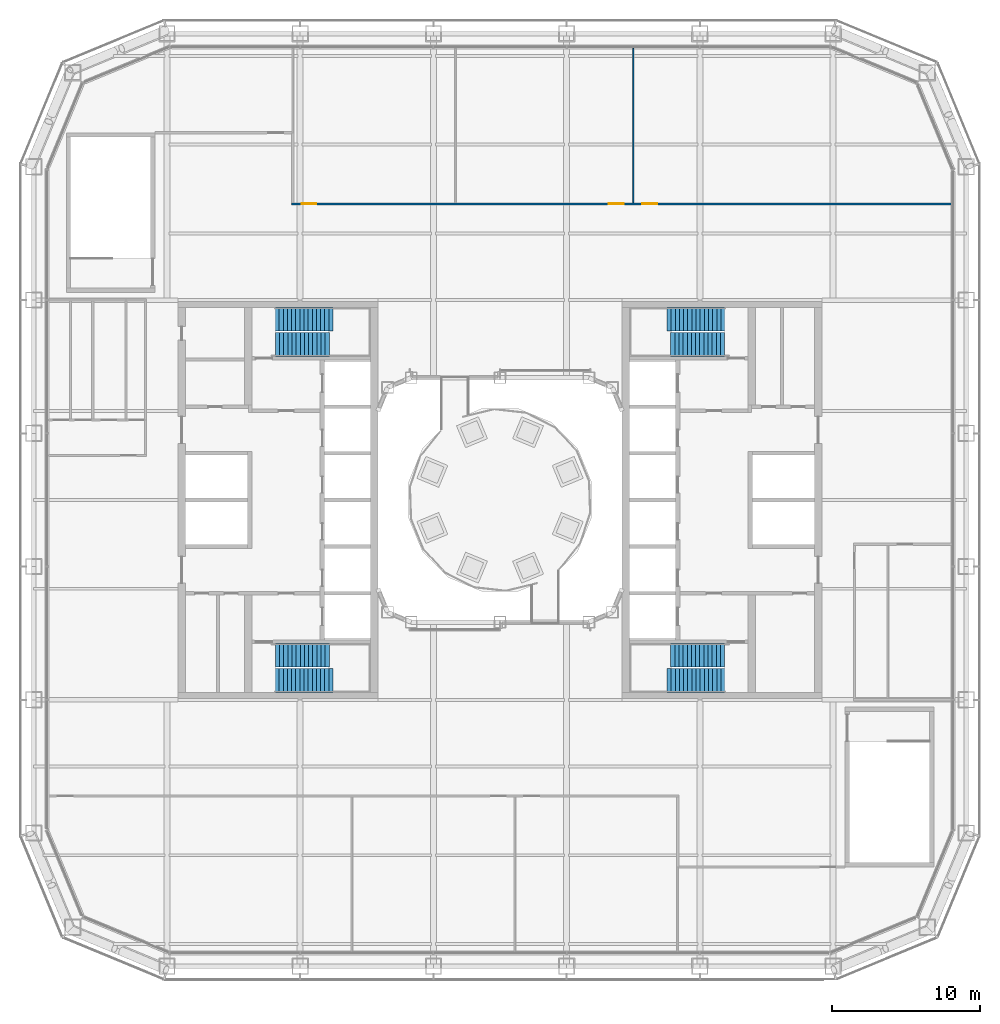
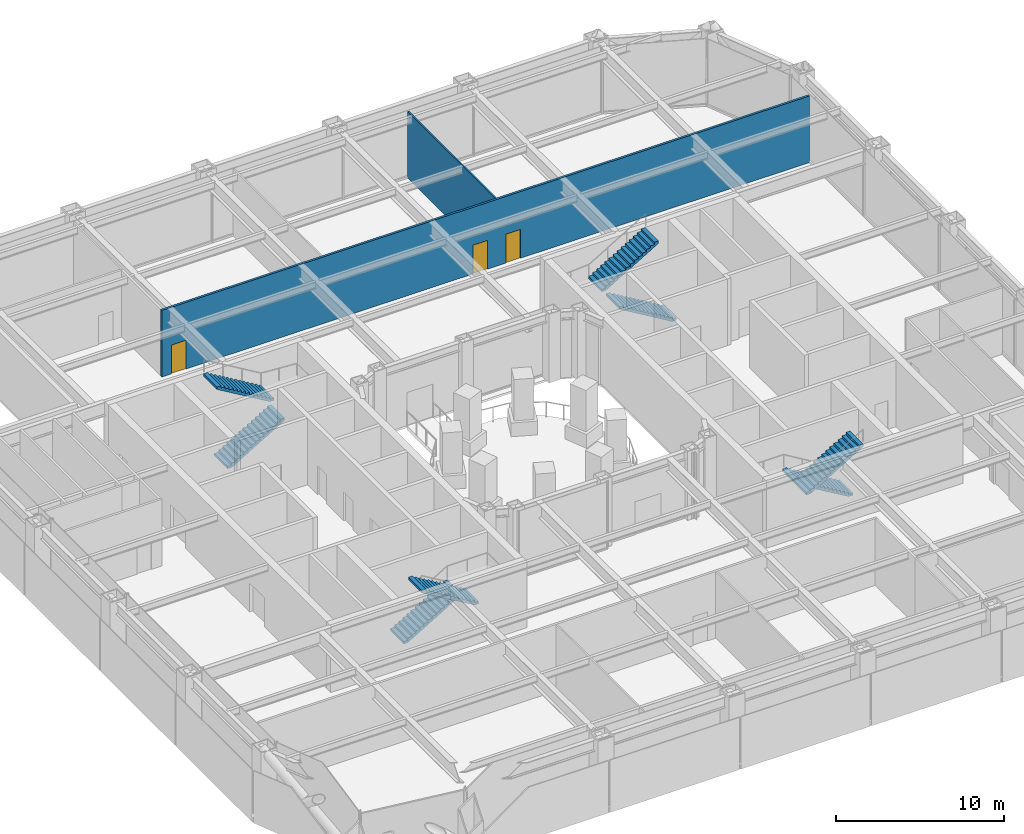
# One storey, part 15 of 25: 8 stair flights, 3 doors, 2 walls, 3 openings, 4 elements without a shape of their own.
"""IFC4 building model written with IfcOpenShell, lengths in metres."""

from ifc_helpers import new_model, si_unit, direction, frame, frame_2d, origin, place, context, subcontext, project, spatial, polyline, rectangle, outline, extrude, material, layer, layer_set, type_object, element, fill, aggregate, save


model = new_model("IFC4")

# Units and contexts
model_context = context("Model", 3, precision=1e-05, world=origin(), true_north=direction((0.0, 1.0)))
body_context = subcontext(model_context, "Body", "Model", "MODEL_VIEW")
ifc_project = project(units=[si_unit("LENGTHUNIT", "METRE"), si_unit("AREAUNIT", "SQUARE_METRE"), si_unit("VOLUMEUNIT", "CUBIC_METRE"), si_unit("PLANEANGLEUNIT", "RADIAN"), si_unit("MASSUNIT", "GRAM", prefix="KILO")], contexts=[model_context])

# Site, building, storey
site_placement = place(None, origin())
site = spatial("IfcSite", under=ifc_project, at=site_placement, CompositionType="ELEMENT")
building_placement = place(site_placement, origin())
building = spatial("IfcBuilding", under=site, at=building_placement, Name="Siwar Civic Tower", CompositionType="ELEMENT")
storey_placement = place(building_placement, frame((0.0, 0.0, 17.199951171875)))
storey = spatial("IfcBuildingStorey", under=building, at=storey_placement, Name="L03", CompositionType="ELEMENT", Elevation=17.199951171875)

# Wall, openings, doors
ifc_material_1 = material(Name="Gypsum board on steel studs", Category="steel")
ifc_layer_1 = layer(ifc_material_1, 0.14990234375)
ifc_layer_set_1 = layer_set([ifc_layer_1], Name="Gypsum board on steel studs")
wall_type_1 = type_object("IfcWallType", Name="CORRIDOR PARTITION 150 EI 30", PredefinedType="PARTITIONING", material=ifc_layer_set_1)
wall_1_placement = place(storey_placement, frame((-14.074951171875, 20.0, 0.0), z_axis=(0.0, 0.0, 1.0), x_axis=(1.0, 0.0, 0.0)))
wall_1 = element("IfcWall", 1, at=wall_1_placement, inside=storey, type_object=wall_type_1, Name="L03/wall/P10", PredefinedType="PARTITIONING", context=body_context, shape_type="SweptSolid", body=[
    extrude(rectangle(XDim=44.5849609375, YDim=0.14990234375, at=frame_2d((22.29248046875, 0.0))), origin(), (0.0, 0.0, 1.0), 4.85009765625),
])
opening_1_placement = place(wall_1_placement, frame((0.675048828125, 0.0, 0.0)))
opening_1 = element("IfcOpeningElement", 2, at=opening_1_placement, cuts=wall_1, Name="Opening D1", PredefinedType="OPENING", context=body_context, shape_type="SweptSolid", body=[
    extrude(rectangle(XDim=1.0, YDim=2.10009765625, at=frame_2d((0.5, 1.050048828125))), frame((0.0, 0.0849609375, 0.0), z_axis=(0.0, -1.0, 0.0), x_axis=(1.0, 0.0, 0.0)), (0.0, 0.0, 1.0), 0.169921875),
])
opening_2_placement = place(wall_1_placement, frame((21.425048828125, 0.0, 0.0)))
opening_2 = element("IfcOpeningElement", 3, at=opening_2_placement, cuts=wall_1, Name="Opening D1", PredefinedType="OPENING", context=body_context, shape_type="SweptSolid", body=[
    extrude(rectangle(XDim=1.0, YDim=2.10009765625, at=frame_2d((0.5, 1.050048828125))), frame((0.0, 0.0849609375, 0.0), z_axis=(0.0, -1.0, 0.0), x_axis=(1.0, 0.0, 0.0)), (0.0, 0.0, 1.0), 0.169921875),
])
opening_3_placement = place(wall_1_placement, frame((23.68505859375, 0.0, 0.0)))
opening_3 = element("IfcOpeningElement", 4, at=opening_3_placement, cuts=wall_1, Name="Opening D1", PredefinedType="OPENING", context=body_context, shape_type="SweptSolid", body=[
    extrude(rectangle(XDim=1.0, YDim=2.10009765625, at=frame_2d((0.5, 1.050048828125))), frame((0.0, 0.0849609375, 0.0), z_axis=(0.0, -1.0, 0.0), x_axis=(1.0, 0.0, 0.0)), (0.0, 0.0, 1.0), 0.169921875),
])
ifc_material_2 = material(Name="Timber, painted", Category="wood")
door_type = type_object("IfcDoorType", Name="DOOR 1000 X 2100 FD30", OperationType="SINGLE_SWING_LEFT", PredefinedType="DOOR", material=ifc_material_2)
door_1_placement = place(opening_1_placement, origin())
door_1 = element("IfcDoor", 5, at=door_1_placement, inside=storey, type_object=door_type, Name="L03-D02", OperationType="SINGLE_SWING_RIGHT", OverallHeight=2.10009765625, OverallWidth=1.0, PredefinedType="DOOR", context=body_context, shape_type="SweptSolid", body=[
    extrude(rectangle(XDim=1.0, YDim=2.10009765625, at=frame_2d((0.5, 1.050048828125))), frame((0.0, 0.02490234375, 0.0), z_axis=(0.0, -1.0, 0.0), x_axis=(1.0, 0.0, 0.0)), (0.0, 0.0, 1.0), 0.050048828125),
])
fill(opening_1, door_1)
door_2_placement = place(opening_2_placement, origin())
door_2 = element("IfcDoor", 6, at=door_2_placement, inside=storey, type_object=door_type, Name="L03-D03", OperationType="SINGLE_SWING_LEFT", OverallHeight=2.10009765625, OverallWidth=1.0, PredefinedType="DOOR", context=body_context, shape_type="SweptSolid", body=[
    extrude(rectangle(XDim=1.0, YDim=2.10009765625, at=frame_2d((0.5, 1.050048828125))), frame((0.0, 0.02490234375, 0.0), z_axis=(0.0, -1.0, 0.0), x_axis=(1.0, 0.0, 0.0)), (0.0, 0.0, 1.0), 0.050048828125),
])
fill(opening_2, door_2)
door_3_placement = place(opening_3_placement, origin())
door_3 = element("IfcDoor", 7, at=door_3_placement, inside=storey, type_object=door_type, Name="L03-D04", OperationType="SINGLE_SWING_RIGHT", OverallHeight=2.10009765625, OverallWidth=1.0, PredefinedType="DOOR", context=body_context, shape_type="SweptSolid", body=[
    extrude(rectangle(XDim=1.0, YDim=2.10009765625, at=frame_2d((0.5, 1.050048828125))), frame((0.0, 0.02490234375, 0.0), z_axis=(0.0, -1.0, 0.0), x_axis=(1.0, 0.0, 0.0)), (0.0, 0.0, 1.0), 0.050048828125),
])
fill(opening_3, door_3)

# Wall
ifc_material_3 = material(Name="Gypsum board on steel studs", Category="steel")
ifc_layer_2 = layer(ifc_material_3, 0.10009765625)
ifc_layer_set_2 = layer_set([ifc_layer_2], Name="Gypsum board on steel studs")
wall_type_2 = type_object("IfcWallType", Name="PARTITION 100 GYPSUM", PredefinedType="PARTITIONING", material=ifc_layer_set_2)
wall_2_placement = place(storey_placement, frame((9.0, 20.074951171875, 0.0), z_axis=(0.0, 0.0, 1.0), x_axis=(0.0, 1.0, 0.0)))
element("IfcWall", 8, at=wall_2_placement, inside=storey, type_object=wall_type_2, Name="L03/wall/P22", PredefinedType="PARTITIONING", context=body_context, shape_type="SweptSolid", body=[
    extrude(rectangle(XDim=10.43505859375, YDim=0.10009765625, at=frame_2d((5.217529296875, 0.0))), origin(), (0.0, 0.0, 1.0), 4.85009765625),
])

# Stair, stair flights
ifc_material_4 = material(Name="Concrete C40/50", Category="concrete")
stair_type = type_object("IfcStairType", Name="CORE-STAIR", PredefinedType="TWO_STRAIGHT_RUN_STAIR", material=ifc_material_4)
stair_1_placement = place(storey_placement, origin())
stair_1 = element("IfcStair", 9, at=stair_1_placement, inside=storey, type_object=stair_type, Name="Exit stair ST1", PredefinedType="TWO_STRAIGHT_RUN_STAIR")
ifc_material_5 = material(Name="Concrete C40/50", Category="concrete")
stair_flight_type = type_object("IfcStairFlightType", Name="CORE-STAIR-FLIGHT", PredefinedType="STRAIGHT", material=ifc_material_5)
stair_flight_1_placement = place(storey_placement, frame((-15.449951171875, 10.5, 0.0), z_axis=(0.0, 0.0, 1.0), x_axis=(1.0, 0.0, 0.0)))
stair_flight_1 = element("IfcStairFlight", 10, at=stair_flight_1_placement, type_object=stair_flight_type, Name="ST1 flight 1", NumberOfRisers=15, NumberOfTreads=14, PredefinedType="STRAIGHT", RiserHeight=0.166666667, TreadLength=0.28, context=body_context, shape_type="SweptSolid", body=[
    extrude(outline(polyline([(0.0, 0.0), (0.0, 0.166748046875), (0.280029296875, 0.166748046875), (0.280029296875, 0.333251953125), (0.56005859375, 0.333251953125), (0.56005859375, 0.5), (0.840087890625, 0.5), (0.840087890625, 0.666748046875), (1.1201171875, 0.666748046875), (1.1201171875, 0.833251953125), (1.39990234375, 0.833251953125), (1.39990234375, 1.0), (1.679931640625, 1.0), (1.679931640625, 1.166748046875), (1.9599609375, 1.166748046875), (1.9599609375, 1.333251953125), (2.239990234375, 1.333251953125), (2.239990234375, 1.5), (2.52001953125, 1.5), (2.52001953125, 1.666748046875), (2.800048828125, 1.666748046875), (2.800048828125, 1.833251953125), (3.080078125, 1.833251953125), (3.080078125, 2.0), (3.360107421875, 2.0), (3.360107421875, 2.166748046875), (3.639892578125, 2.166748046875), (3.639892578125, 2.333251953125), (3.919921875, 2.333251953125), (3.919921875, 2.5), (3.919921875, 2.158935546875), (0.29296875, 0.0), (0.0, 0.0)])), frame((0.0, 0.800048828125, 0.0), z_axis=(0.0, -1.0, 0.0), x_axis=(1.0, 0.0, 0.0)), (0.0, 0.0, 1.0), 1.60009765625),
])
stair_flight_2_placement = place(storey_placement, frame((-11.280029296875, 12.199951171875, 2.5), z_axis=(0.0, 0.0, 1.0), x_axis=(-1.0, 0.0, 0.0)))
stair_flight_2 = element("IfcStairFlight", 11, at=stair_flight_2_placement, type_object=stair_flight_type, Name="ST1 flight 2", NumberOfRisers=15, NumberOfTreads=14, PredefinedType="STRAIGHT", RiserHeight=0.166666667, TreadLength=0.28, context=body_context, shape_type="SweptSolid", body=[
    extrude(outline(polyline([(0.0, 0.0), (0.0, 0.166748046875), (0.280029296875, 0.166748046875), (0.280029296875, 0.333251953125), (0.56005859375, 0.333251953125), (0.56005859375, 0.5), (0.840087890625, 0.5), (0.840087890625, 0.666748046875), (1.1201171875, 0.666748046875), (1.1201171875, 0.833251953125), (1.39990234375, 0.833251953125), (1.39990234375, 1.0), (1.679931640625, 1.0), (1.679931640625, 1.166748046875), (1.9599609375, 1.166748046875), (1.9599609375, 1.333251953125), (2.239990234375, 1.333251953125), (2.239990234375, 1.5), (2.52001953125, 1.5), (2.52001953125, 1.666748046875), (2.800048828125, 1.666748046875), (2.800048828125, 1.833251953125), (3.080078125, 1.833251953125), (3.080078125, 2.0), (3.360107421875, 2.0), (3.360107421875, 2.166748046875), (3.639892578125, 2.166748046875), (3.639892578125, 2.333251953125), (3.919921875, 2.333251953125), (3.919921875, 2.5), (3.919921875, 2.158935546875), (0.29296875, 0.0), (0.0, 0.0)])), frame((0.0, 0.800048828125, 0.0), z_axis=(0.0, -1.0, 0.0), x_axis=(1.0, 0.0, 0.0)), (0.0, 0.0, 1.0), 1.60009765625),
])
aggregate(stair_1, [stair_flight_1, stair_flight_2])

stair_2_placement = place(storey_placement, origin())
stair_2 = element("IfcStair", 12, at=stair_2_placement, inside=storey, type_object=stair_type, Name="Exit stair ST2", PredefinedType="TWO_STRAIGHT_RUN_STAIR")
stair_flight_3_placement = place(storey_placement, frame((-15.449951171875, -10.5, 0.0), z_axis=(0.0, 0.0, 1.0), x_axis=(1.0, 0.0, 0.0)))
stair_flight_3 = element("IfcStairFlight", 13, at=stair_flight_3_placement, type_object=stair_flight_type, Name="ST2 flight 1", NumberOfRisers=15, NumberOfTreads=14, PredefinedType="STRAIGHT", RiserHeight=0.166666667, TreadLength=0.28, context=body_context, shape_type="SweptSolid", body=[
    extrude(outline(polyline([(0.0, 0.0), (0.0, 0.166748046875), (0.280029296875, 0.166748046875), (0.280029296875, 0.333251953125), (0.56005859375, 0.333251953125), (0.56005859375, 0.5), (0.840087890625, 0.5), (0.840087890625, 0.666748046875), (1.1201171875, 0.666748046875), (1.1201171875, 0.833251953125), (1.39990234375, 0.833251953125), (1.39990234375, 1.0), (1.679931640625, 1.0), (1.679931640625, 1.166748046875), (1.9599609375, 1.166748046875), (1.9599609375, 1.333251953125), (2.239990234375, 1.333251953125), (2.239990234375, 1.5), (2.52001953125, 1.5), (2.52001953125, 1.666748046875), (2.800048828125, 1.666748046875), (2.800048828125, 1.833251953125), (3.080078125, 1.833251953125), (3.080078125, 2.0), (3.360107421875, 2.0), (3.360107421875, 2.166748046875), (3.639892578125, 2.166748046875), (3.639892578125, 2.333251953125), (3.919921875, 2.333251953125), (3.919921875, 2.5), (3.919921875, 2.158935546875), (0.29296875, 0.0), (0.0, 0.0)])), frame((0.0, 0.800048828125, 0.0), z_axis=(0.0, -1.0, 0.0), x_axis=(1.0, 0.0, 0.0)), (0.0, 0.0, 1.0), 1.60009765625),
])
stair_flight_4_placement = place(storey_placement, frame((-11.280029296875, -12.199951171875, 2.5), z_axis=(0.0, 0.0, 1.0), x_axis=(-1.0, 0.0, 0.0)))
stair_flight_4 = element("IfcStairFlight", 14, at=stair_flight_4_placement, type_object=stair_flight_type, Name="ST2 flight 2", NumberOfRisers=15, NumberOfTreads=14, PredefinedType="STRAIGHT", RiserHeight=0.166666667, TreadLength=0.28, context=body_context, shape_type="SweptSolid", body=[
    extrude(outline(polyline([(0.0, 0.0), (0.0, 0.166748046875), (0.280029296875, 0.166748046875), (0.280029296875, 0.333251953125), (0.56005859375, 0.333251953125), (0.56005859375, 0.5), (0.840087890625, 0.5), (0.840087890625, 0.666748046875), (1.1201171875, 0.666748046875), (1.1201171875, 0.833251953125), (1.39990234375, 0.833251953125), (1.39990234375, 1.0), (1.679931640625, 1.0), (1.679931640625, 1.166748046875), (1.9599609375, 1.166748046875), (1.9599609375, 1.333251953125), (2.239990234375, 1.333251953125), (2.239990234375, 1.5), (2.52001953125, 1.5), (2.52001953125, 1.666748046875), (2.800048828125, 1.666748046875), (2.800048828125, 1.833251953125), (3.080078125, 1.833251953125), (3.080078125, 2.0), (3.360107421875, 2.0), (3.360107421875, 2.166748046875), (3.639892578125, 2.166748046875), (3.639892578125, 2.333251953125), (3.919921875, 2.333251953125), (3.919921875, 2.5), (3.919921875, 2.158935546875), (0.29296875, 0.0), (0.0, 0.0)])), frame((0.0, 0.800048828125, 0.0), z_axis=(0.0, -1.0, 0.0), x_axis=(1.0, 0.0, 0.0)), (0.0, 0.0, 1.0), 1.60009765625),
])
aggregate(stair_2, [stair_flight_3, stair_flight_4])

stair_3_placement = place(storey_placement, origin())
stair_3 = element("IfcStair", 15, at=stair_3_placement, inside=storey, type_object=stair_type, Name="Exit stair ST3", PredefinedType="TWO_STRAIGHT_RUN_STAIR")
stair_flight_5_placement = place(storey_placement, frame((15.449951171875, 10.5, 0.0), z_axis=(0.0, 0.0, 1.0), x_axis=(-1.0, 0.0, 0.0)))
stair_flight_5 = element("IfcStairFlight", 16, at=stair_flight_5_placement, type_object=stair_flight_type, Name="ST3 flight 1", NumberOfRisers=15, NumberOfTreads=14, PredefinedType="STRAIGHT", RiserHeight=0.166666667, TreadLength=0.28, context=body_context, shape_type="SweptSolid", body=[
    extrude(outline(polyline([(0.0, 0.0), (0.0, 0.166748046875), (0.280029296875, 0.166748046875), (0.280029296875, 0.333251953125), (0.56005859375, 0.333251953125), (0.56005859375, 0.5), (0.840087890625, 0.5), (0.840087890625, 0.666748046875), (1.1201171875, 0.666748046875), (1.1201171875, 0.833251953125), (1.39990234375, 0.833251953125), (1.39990234375, 1.0), (1.679931640625, 1.0), (1.679931640625, 1.166748046875), (1.9599609375, 1.166748046875), (1.9599609375, 1.333251953125), (2.239990234375, 1.333251953125), (2.239990234375, 1.5), (2.52001953125, 1.5), (2.52001953125, 1.666748046875), (2.800048828125, 1.666748046875), (2.800048828125, 1.833251953125), (3.080078125, 1.833251953125), (3.080078125, 2.0), (3.360107421875, 2.0), (3.360107421875, 2.166748046875), (3.639892578125, 2.166748046875), (3.639892578125, 2.333251953125), (3.919921875, 2.333251953125), (3.919921875, 2.5), (3.919921875, 2.158935546875), (0.29296875, 0.0), (0.0, 0.0)])), frame((0.0, 0.800048828125, 0.0), z_axis=(0.0, -1.0, 0.0), x_axis=(1.0, 0.0, 0.0)), (0.0, 0.0, 1.0), 1.60009765625),
])
stair_flight_6_placement = place(storey_placement, frame((11.280029296875, 12.199951171875, 2.5), z_axis=(0.0, 0.0, 1.0), x_axis=(1.0, 0.0, 0.0)))
stair_flight_6 = element("IfcStairFlight", 17, at=stair_flight_6_placement, type_object=stair_flight_type, Name="ST3 flight 2", NumberOfRisers=15, NumberOfTreads=14, PredefinedType="STRAIGHT", RiserHeight=0.166666667, TreadLength=0.28, context=body_context, shape_type="SweptSolid", body=[
    extrude(outline(polyline([(0.0, 0.0), (0.0, 0.166748046875), (0.280029296875, 0.166748046875), (0.280029296875, 0.333251953125), (0.56005859375, 0.333251953125), (0.56005859375, 0.5), (0.840087890625, 0.5), (0.840087890625, 0.666748046875), (1.1201171875, 0.666748046875), (1.1201171875, 0.833251953125), (1.39990234375, 0.833251953125), (1.39990234375, 1.0), (1.679931640625, 1.0), (1.679931640625, 1.166748046875), (1.9599609375, 1.166748046875), (1.9599609375, 1.333251953125), (2.239990234375, 1.333251953125), (2.239990234375, 1.5), (2.52001953125, 1.5), (2.52001953125, 1.666748046875), (2.800048828125, 1.666748046875), (2.800048828125, 1.833251953125), (3.080078125, 1.833251953125), (3.080078125, 2.0), (3.360107421875, 2.0), (3.360107421875, 2.166748046875), (3.639892578125, 2.166748046875), (3.639892578125, 2.333251953125), (3.919921875, 2.333251953125), (3.919921875, 2.5), (3.919921875, 2.158935546875), (0.29296875, 0.0), (0.0, 0.0)])), frame((0.0, 0.800048828125, 0.0), z_axis=(0.0, -1.0, 0.0), x_axis=(1.0, 0.0, 0.0)), (0.0, 0.0, 1.0), 1.60009765625),
])
aggregate(stair_3, [stair_flight_5, stair_flight_6])

stair_4_placement = place(storey_placement, origin())
stair_4 = element("IfcStair", 18, at=stair_4_placement, inside=storey, type_object=stair_type, Name="Exit stair ST4", PredefinedType="TWO_STRAIGHT_RUN_STAIR")
stair_flight_7_placement = place(storey_placement, frame((15.449951171875, -10.5, 0.0), z_axis=(0.0, 0.0, 1.0), x_axis=(-1.0, 0.0, 0.0)))
stair_flight_7 = element("IfcStairFlight", 19, at=stair_flight_7_placement, type_object=stair_flight_type, Name="ST4 flight 1", NumberOfRisers=15, NumberOfTreads=14, PredefinedType="STRAIGHT", RiserHeight=0.166666667, TreadLength=0.28, context=body_context, shape_type="SweptSolid", body=[
    extrude(outline(polyline([(0.0, 0.0), (0.0, 0.166748046875), (0.280029296875, 0.166748046875), (0.280029296875, 0.333251953125), (0.56005859375, 0.333251953125), (0.56005859375, 0.5), (0.840087890625, 0.5), (0.840087890625, 0.666748046875), (1.1201171875, 0.666748046875), (1.1201171875, 0.833251953125), (1.39990234375, 0.833251953125), (1.39990234375, 1.0), (1.679931640625, 1.0), (1.679931640625, 1.166748046875), (1.9599609375, 1.166748046875), (1.9599609375, 1.333251953125), (2.239990234375, 1.333251953125), (2.239990234375, 1.5), (2.52001953125, 1.5), (2.52001953125, 1.666748046875), (2.800048828125, 1.666748046875), (2.800048828125, 1.833251953125), (3.080078125, 1.833251953125), (3.080078125, 2.0), (3.360107421875, 2.0), (3.360107421875, 2.166748046875), (3.639892578125, 2.166748046875), (3.639892578125, 2.333251953125), (3.919921875, 2.333251953125), (3.919921875, 2.5), (3.919921875, 2.158935546875), (0.29296875, 0.0), (0.0, 0.0)])), frame((0.0, 0.800048828125, 0.0), z_axis=(0.0, -1.0, 0.0), x_axis=(1.0, 0.0, 0.0)), (0.0, 0.0, 1.0), 1.60009765625),
])
stair_flight_8_placement = place(storey_placement, frame((11.280029296875, -12.199951171875, 2.5), z_axis=(0.0, 0.0, 1.0), x_axis=(1.0, 0.0, 0.0)))
stair_flight_8 = element("IfcStairFlight", 20, at=stair_flight_8_placement, type_object=stair_flight_type, Name="ST4 flight 2", NumberOfRisers=15, NumberOfTreads=14, PredefinedType="STRAIGHT", RiserHeight=0.166666667, TreadLength=0.28, context=body_context, shape_type="SweptSolid", body=[
    extrude(outline(polyline([(0.0, 0.0), (0.0, 0.166748046875), (0.280029296875, 0.166748046875), (0.280029296875, 0.333251953125), (0.56005859375, 0.333251953125), (0.56005859375, 0.5), (0.840087890625, 0.5), (0.840087890625, 0.666748046875), (1.1201171875, 0.666748046875), (1.1201171875, 0.833251953125), (1.39990234375, 0.833251953125), (1.39990234375, 1.0), (1.679931640625, 1.0), (1.679931640625, 1.166748046875), (1.9599609375, 1.166748046875), (1.9599609375, 1.333251953125), (2.239990234375, 1.333251953125), (2.239990234375, 1.5), (2.52001953125, 1.5), (2.52001953125, 1.666748046875), (2.800048828125, 1.666748046875), (2.800048828125, 1.833251953125), (3.080078125, 1.833251953125), (3.080078125, 2.0), (3.360107421875, 2.0), (3.360107421875, 2.166748046875), (3.639892578125, 2.166748046875), (3.639892578125, 2.333251953125), (3.919921875, 2.333251953125), (3.919921875, 2.5), (3.919921875, 2.158935546875), (0.29296875, 0.0), (0.0, 0.0)])), frame((0.0, 0.800048828125, 0.0), z_axis=(0.0, -1.0, 0.0), x_axis=(1.0, 0.0, 0.0)), (0.0, 0.0, 1.0), 1.60009765625),
])
aggregate(stair_4, [stair_flight_7, stair_flight_8])

save(model, "model.ifc")
